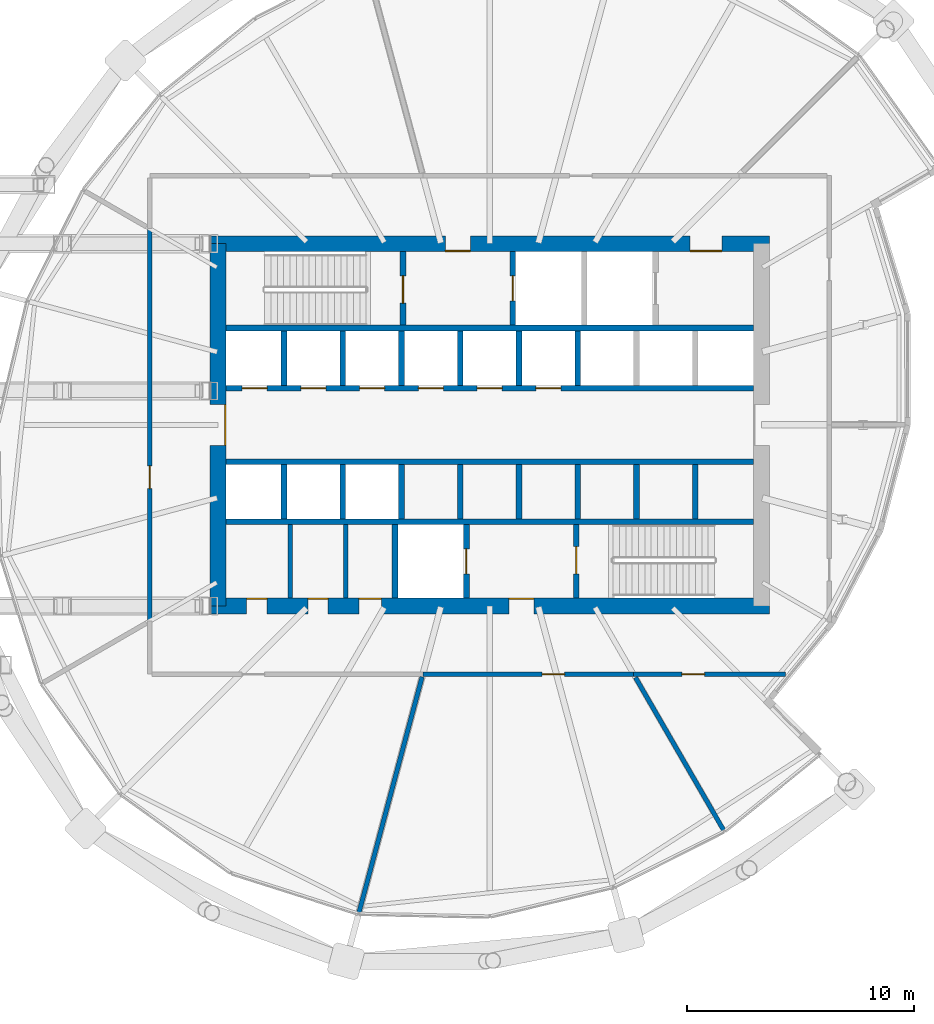
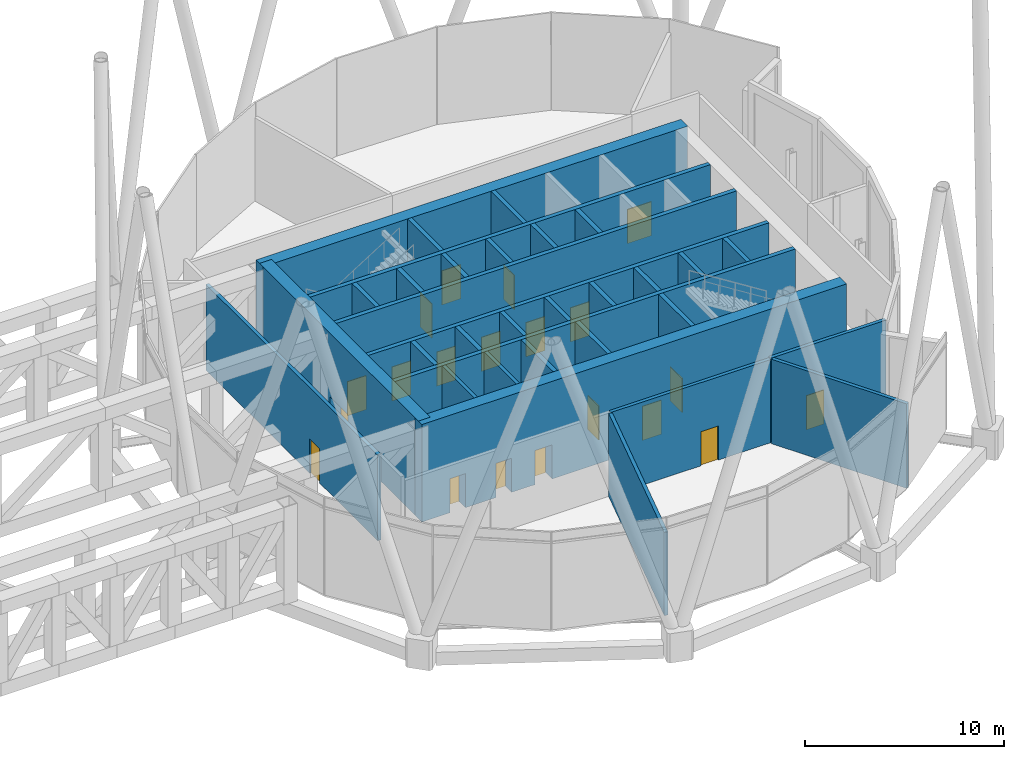
# One storey, part 34 of 39: 33 walls, 20 doors, 20 openings.
"""IFC4 building model written with IfcOpenShell, lengths in metres."""

from ifc_helpers import new_model, si_unit, direction, frame, frame_2d, origin, place, context, subcontext, project, spatial, rectangle, extrude, material, layer, layer_set, type_object, element, fill, save


model = new_model("IFC4")

# Units and contexts
model_context = context("Model", 3, precision=1e-05, world=origin(), true_north=direction((0.0, 1.0)))
body_context = subcontext(model_context, "Body", "Model", "MODEL_VIEW")
ifc_project = project(units=[si_unit("LENGTHUNIT", "METRE"), si_unit("AREAUNIT", "SQUARE_METRE"), si_unit("VOLUMEUNIT", "CUBIC_METRE"), si_unit("PLANEANGLEUNIT", "RADIAN"), si_unit("MASSUNIT", "GRAM", prefix="KILO")], contexts=[model_context])

# Site, building, storey
site_placement = place(None, origin())
site = spatial("IfcSite", under=ifc_project, at=site_placement, CompositionType="ELEMENT")
building_placement = place(site_placement, origin())
building = spatial("IfcBuilding", under=site, at=building_placement, Name="Rimbun Link Towers", CompositionType="ELEMENT")
storey_placement = place(building_placement, frame((0.0, 0.0, 127.199951171875)))
storey = spatial("IfcBuildingStorey", under=building, at=storey_placement, Name="L31", CompositionType="ELEMENT", Elevation=127.199951171875)

# Walls
ifc_material_1 = material(Name="Masonry blockwork", Category="masonry")
ifc_layer_1 = layer(ifc_material_1, 0.199951171875)
ifc_layer_set_1 = layer_set([ifc_layer_1], Name="Core partition 200")
wall_type_1 = type_object("IfcWallType", Name="Core partition 200", PredefinedType="PARTITIONING", material=ifc_layer_set_1)
for number, where, z_axis, x_axis, name in (
    (1, (22.949951171875, -4.39990234375, 0.0), (0.0, 0.0, 1.0), (0.0, -1.0, 0.0), "L31 T2 core wall C1"),
    (2, (25.39990234375, -4.39990234375, 0.0), (0.0, 0.0, 1.0), (0.0, -1.0, 0.0), "L31 T2 core wall C2"),
):
    element("IfcWall", number, at=place(storey_placement, frame(where, z_axis=z_axis, x_axis=x_axis)), inside=storey, type_object=wall_type_1, Name=name, PredefinedType="PARTITIONING", context=body_context, shape_type="SweptSolid", body=[
        extrude(rectangle(XDim=3.25, YDim=0.199951171875, at=frame_2d((1.625, 0.0))), origin(), (0.0, 0.0, 1.0), 6.0),
    ])

# Wall, openings, doors
ifc_material_2 = material(Name="Concrete C60/75", Category="concrete")
ifc_layer_2 = layer(ifc_material_2, 0.699951171875)
ifc_layer_set_2 = layer_set([ifc_layer_2], Name="Core shear wall 700")
wall_type_2 = type_object("IfcWallType", Name="Core shear wall 700", PredefinedType="SHEAR", material=ifc_layer_set_2)
wall_1_placement = place(storey_placement, frame((19.39990234375, 8.0, 0.0), z_axis=(0.0, 0.0, 1.0), x_axis=(1.0, 0.0, 0.0)))
wall_1 = element("IfcWall", 3, at=wall_1_placement, inside=storey, type_object=wall_type_2, Name="L31 T2 core wall N", PredefinedType="SHEAR", context=body_context, shape_type="SweptSolid", body=[
    extrude(rectangle(XDim=24.7001953125, YDim=0.699951171875, at=frame_2d((12.35009765625, 0.0))), origin(), (0.0, 0.0, 1.0), 6.0),
])
opening_1_placement = place(wall_1_placement, frame((10.39990234375, 0.0, 0.0)))
opening_1 = element("IfcOpeningElement", 4, at=opening_1_placement, cuts=wall_1, Name="Opening C2DCF01N", PredefinedType="OPENING", context=body_context, shape_type="SweptSolid", body=[
    extrude(rectangle(XDim=1.10009765625, YDim=2.10009765625, at=frame_2d((0.550048828125, 1.050048828125))), frame((0.0, 0.35986328125, 0.0), z_axis=(0.0, -1.0, 0.0), x_axis=(1.0, 0.0, 0.0)), (0.0, 0.0, 1.0), 0.719970703125),
])
opening_2_placement = place(wall_1_placement, frame((21.199951171875, 0.0, 0.0)))
opening_2 = element("IfcOpeningElement", 5, at=opening_2_placement, cuts=wall_1, Name="Opening C2DSL02N", PredefinedType="OPENING", context=body_context, shape_type="SweptSolid", body=[
    extrude(rectangle(XDim=1.39990234375, YDim=2.10009765625, at=frame_2d((0.699951171875, 1.050048828125))), frame((0.0, 0.35986328125, 0.0), z_axis=(0.0, -1.0, 0.0), x_axis=(1.0, 0.0, 0.0)), (0.0, 0.0, 1.0), 0.719970703125),
])
ifc_material_3 = material(Name="Steel fire door set", Category="steel")
door_type_1 = type_object("IfcDoorType", Name="Core fire door single", OperationType="SINGLE_SWING_LEFT", PredefinedType="DOOR", material=ifc_material_3)
door_1_placement = place(opening_1_placement, origin())
door_1 = element("IfcDoor", 6, at=door_1_placement, inside=storey, type_object=door_type_1, Name="L31 T2 firefighting lobby n door", OperationType="SINGLE_SWING_RIGHT", OverallHeight=2.10009765625, OverallWidth=1.10009765625, PredefinedType="DOOR", context=body_context, shape_type="SweptSolid", body=[
    extrude(rectangle(XDim=1.10009765625, YDim=2.10009765625, at=frame_2d((0.550048828125, 1.050048828125))), frame((0.0, -0.2998046875, 0.0), z_axis=(0.0, -1.0, 0.0), x_axis=(1.0, 0.0, 0.0)), (0.0, 0.0, 1.0), 0.050048828125),
])
fill(opening_1, door_1)
ifc_material_4 = material(Name="Steel fire door set", Category="steel")
door_type_2 = type_object("IfcDoorType", Name="Service lobby door double", OperationType="DOUBLE_DOOR_SINGLE_SWING", PredefinedType="DOOR", material=ifc_material_4)
door_2_placement = place(opening_2_placement, origin())
door_2 = element("IfcDoor", 7, at=door_2_placement, inside=storey, type_object=door_type_2, Name="L31 T2 service lobby door", OperationType="DOUBLE_DOOR_SINGLE_SWING", OverallHeight=2.10009765625, OverallWidth=1.39990234375, PredefinedType="DOOR", context=body_context, shape_type="SweptSolid", body=[
    extrude(rectangle(XDim=1.39990234375, YDim=2.10009765625, at=frame_2d((0.699951171875, 1.050048828125))), frame((0.0, -0.2998046875, 0.0), z_axis=(0.0, -1.0, 0.0), x_axis=(1.0, 0.0, 0.0)), (0.0, 0.0, 1.0), 0.050048828125),
])
fill(opening_2, door_2)

wall_2_placement = place(storey_placement, frame((19.39990234375, -8.0, 0.0), z_axis=(0.0, 0.0, 1.0), x_axis=(1.0, 0.0, 0.0)))
wall_2 = element("IfcWall", 8, at=wall_2_placement, inside=storey, type_object=wall_type_2, Name="L31 T2 core wall S", PredefinedType="SHEAR", context=body_context, shape_type="SweptSolid", body=[
    extrude(rectangle(XDim=24.7001953125, YDim=0.699951171875, at=frame_2d((12.35009765625, 0.0))), origin(), (0.0, 0.0, 1.0), 6.0),
])
opening_3_placement = place(wall_2_placement, frame((13.199951171875, 0.0, 0.0)))
opening_3 = element("IfcOpeningElement", 9, at=opening_3_placement, cuts=wall_2, Name="Opening C2DCF01S", PredefinedType="OPENING", context=body_context, shape_type="SweptSolid", body=[
    extrude(rectangle(XDim=1.10009765625, YDim=2.10009765625, at=frame_2d((0.550048828125, 1.050048828125))), frame((0.0, 0.35986328125, 0.0), z_axis=(0.0, -1.0, 0.0), x_axis=(1.0, 0.0, 0.0)), (0.0, 0.0, 1.0), 0.719970703125),
])
opening_4_placement = place(wall_2_placement, frame((1.625, 0.0, 0.0)))
opening_4 = element("IfcOpeningElement", 10, at=opening_4_placement, cuts=wall_2, Name="Opening C2DWC02S", PredefinedType="OPENING", context=body_context, shape_type="SweptSolid", body=[
    extrude(rectangle(XDim=0.89990234375, YDim=2.10009765625, at=frame_2d((0.449951171875, 1.050048828125))), frame((0.0, 0.35986328125, 0.0), z_axis=(0.0, -1.0, 0.0), x_axis=(1.0, 0.0, 0.0)), (0.0, 0.0, 1.0), 0.719970703125),
])
opening_5_placement = place(wall_2_placement, frame((4.324951171875, 0.0, 0.0)))
opening_5 = element("IfcOpeningElement", 11, at=opening_5_placement, cuts=wall_2, Name="Opening C2DWC03S", PredefinedType="OPENING", context=body_context, shape_type="SweptSolid", body=[
    extrude(rectangle(XDim=0.89990234375, YDim=2.10009765625, at=frame_2d((0.449951171875, 1.050048828125))), frame((0.0, 0.35986328125, 0.0), z_axis=(0.0, -1.0, 0.0), x_axis=(1.0, 0.0, 0.0)), (0.0, 0.0, 1.0), 0.719970703125),
])
opening_6_placement = place(wall_2_placement, frame((6.574951171875, 0.0, 0.0)))
opening_6 = element("IfcOpeningElement", 12, at=opening_6_placement, cuts=wall_2, Name="Opening C2DAW04S", PredefinedType="OPENING", context=body_context, shape_type="SweptSolid", body=[
    extrude(rectangle(XDim=1.0, YDim=2.10009765625, at=frame_2d((0.5, 1.050048828125))), frame((0.0, 0.35986328125, 0.0), z_axis=(0.0, -1.0, 0.0), x_axis=(1.0, 0.0, 0.0)), (0.0, 0.0, 1.0), 0.719970703125),
])
ifc_material_5 = material(Name="Timber", Category="wood")
door_type_3 = type_object("IfcDoorType", Name="Accessible WC door", OperationType="SINGLE_SWING_LEFT", PredefinedType="DOOR", material=ifc_material_5)
door_3_placement = place(opening_6_placement, origin())
door_3 = element("IfcDoor", 13, at=door_3_placement, inside=storey, type_object=door_type_3, Name="L31 T2 accessible wc door", OperationType="SINGLE_SWING_LEFT", OverallHeight=2.10009765625, OverallWidth=1.0, PredefinedType="DOOR", context=body_context, shape_type="SweptSolid", body=[
    extrude(rectangle(XDim=1.0, YDim=2.10009765625, at=frame_2d((0.5, 1.050048828125))), frame((0.0, 0.35009765625, 0.0), z_axis=(0.0, -1.0, 0.0), x_axis=(1.0, 0.0, 0.0)), (0.0, 0.0, 1.0), 0.050048828125),
])
fill(opening_6, door_3)
door_4_placement = place(opening_3_placement, origin())
door_4 = element("IfcDoor", 14, at=door_4_placement, inside=storey, type_object=door_type_1, Name="L31 T2 firefighting lobby s door", OperationType="SINGLE_SWING_RIGHT", OverallHeight=2.10009765625, OverallWidth=1.10009765625, PredefinedType="DOOR", context=body_context, shape_type="SweptSolid", body=[
    extrude(rectangle(XDim=1.10009765625, YDim=2.10009765625, at=frame_2d((0.550048828125, 1.050048828125))), frame((0.0, 0.35009765625, 0.0), z_axis=(0.0, -1.0, 0.0), x_axis=(1.0, 0.0, 0.0)), (0.0, 0.0, 1.0), 0.050048828125),
])
fill(opening_3, door_4)
ifc_material_6 = material(Name="Timber", Category="wood")
door_type_4 = type_object("IfcDoorType", Name="WC door", OperationType="SINGLE_SWING_LEFT", PredefinedType="DOOR", material=ifc_material_6)
door_5_placement = place(opening_4_placement, origin())
door_5 = element("IfcDoor", 15, at=door_5_placement, inside=storey, type_object=door_type_4, Name="L31 T2 male wc door", OperationType="SINGLE_SWING_RIGHT", OverallHeight=2.10009765625, OverallWidth=0.89990234375, PredefinedType="DOOR", context=body_context, shape_type="SweptSolid", body=[
    extrude(rectangle(XDim=0.89990234375, YDim=2.10009765625, at=frame_2d((0.449951171875, 1.050048828125))), frame((0.0, 0.35009765625, 0.0), z_axis=(0.0, -1.0, 0.0), x_axis=(1.0, 0.0, 0.0)), (0.0, 0.0, 1.0), 0.050048828125),
])
fill(opening_4, door_5)
door_6_placement = place(opening_5_placement, origin())
door_6 = element("IfcDoor", 16, at=door_6_placement, inside=storey, type_object=door_type_4, Name="L31 T2 female wc door", OperationType="SINGLE_SWING_RIGHT", OverallHeight=2.10009765625, OverallWidth=0.89990234375, PredefinedType="DOOR", context=body_context, shape_type="SweptSolid", body=[
    extrude(rectangle(XDim=0.89990234375, YDim=2.10009765625, at=frame_2d((0.449951171875, 1.050048828125))), frame((0.0, 0.35009765625, 0.0), z_axis=(0.0, -1.0, 0.0), x_axis=(1.0, 0.0, 0.0)), (0.0, 0.0, 1.0), 0.050048828125),
])
fill(opening_5, door_6)

# Wall, opening, door
wall_3_placement = place(storey_placement, frame((19.75, -8.0, 0.0), z_axis=(0.0, 0.0, 1.0), x_axis=(0.0, 1.0, 0.0)))
wall_3 = element("IfcWall", 17, at=wall_3_placement, inside=storey, type_object=wall_type_2, Name="L31 T2 core wall W", PredefinedType="SHEAR", context=body_context, shape_type="SweptSolid", body=[
    extrude(rectangle(XDim=16.0, YDim=0.699951171875, at=frame_2d((8.0, 0.0))), origin(), (0.0, 0.0, 1.0), 6.0),
])
opening_7_placement = place(wall_3_placement, frame((7.10009765625, 0.0, 0.0)))
opening_7 = element("IfcOpeningElement", 18, at=opening_7_placement, cuts=wall_3, Name="Opening C2DCL01W", PredefinedType="OPENING", context=body_context, shape_type="SweptSolid", body=[
    extrude(rectangle(XDim=1.800048828125, YDim=2.10009765625, at=frame_2d((0.89990234375, 1.050048828125))), frame((0.0, 0.35986328125, 0.0), z_axis=(0.0, -1.0, 0.0), x_axis=(1.0, 0.0, 0.0)), (0.0, 0.0, 1.0), 0.719970703125),
])
ifc_material_7 = material(Name="Steel fire door set", Category="steel")
door_type_5 = type_object("IfcDoorType", Name="Core lobby door double", OperationType="DOUBLE_DOOR_SINGLE_SWING", PredefinedType="DOOR", material=ifc_material_7)
door_7_placement = place(opening_7_placement, origin())
door_7 = element("IfcDoor", 19, at=door_7_placement, inside=storey, type_object=door_type_5, Name="L31 T2 lift lobby door", OperationType="DOUBLE_DOOR_SINGLE_SWING", OverallHeight=2.10009765625, OverallWidth=1.800048828125, PredefinedType="DOOR", context=body_context, shape_type="SweptSolid", body=[
    extrude(rectangle(XDim=1.800048828125, YDim=2.10009765625, at=frame_2d((0.89990234375, 1.050048828125))), frame((0.0, -0.2998046875, 0.0), z_axis=(0.0, -1.0, 0.0), x_axis=(1.0, 0.0, 0.0)), (0.0, 0.0, 1.0), 0.050048828125),
])
fill(opening_7, door_7)

ifc_material_8 = material(Name="Concrete blockwork", Category="masonry")
ifc_layer_3 = layer(ifc_material_8, 0.199951171875)
ifc_layer_set_3 = layer_set([ifc_layer_3], Name="Fire partition 200 blockwork")
wall_type_3 = type_object("IfcWallType", Name="Fire partition 200 blockwork", PredefinedType="PARTITIONING", material=ifc_layer_set_3)
wall_4_placement = place(storey_placement, frame((28.802490234375, -11.0, 0.0), z_axis=(0.0, 0.0, 1.0), x_axis=(1.0, 0.0, 0.0)))
wall_4 = element("IfcWall", 20, at=wall_4_placement, inside=storey, type_object=wall_type_3, Name="TW/PW/L31/020", PredefinedType="PARTITIONING", context=body_context, shape_type="SweptSolid", body=[
    extrude(rectangle(XDim=9.29833984375, YDim=0.199951171875, at=frame_2d((4.649169921875, 0.0))), origin(), (0.0, 0.0, 1.0), 5.115966796875),
])
opening_8_placement = place(wall_4_placement, frame((5.259033203125, 0.0, 0.0)))
opening_8 = element("IfcOpeningElement", 21, at=opening_8_placement, cuts=wall_4, Name="Opening TW D31.09", PredefinedType="OPENING", context=body_context, shape_type="SweptSolid", body=[
    extrude(rectangle(XDim=1.0, YDim=2.10009765625, at=frame_2d((0.5, 1.050048828125))), frame((0.0, 0.10986328125, 0.0), z_axis=(0.0, -1.0, 0.0), x_axis=(1.0, 0.0, 0.0)), (0.0, 0.0, 1.0), 0.219970703125),
])
ifc_material_9 = material(Name="Steel fire door set", Category="steel")
door_type_6 = type_object("IfcDoorType", Name="Fire door single leaf 1000 x 2100", OperationType="NOTDEFINED", PredefinedType="DOOR", material=ifc_material_9)
door_8_placement = place(opening_8_placement, origin())
door_8 = element("IfcDoor", 22, at=door_8_placement, inside=storey, type_object=door_type_6, Name="TW/DR/L31/009", OperationType="SINGLE_SWING_RIGHT", OverallHeight=2.10009765625, OverallWidth=1.0, PredefinedType="DOOR", context=body_context, shape_type="SweptSolid", body=[
    extrude(rectangle(XDim=1.0, YDim=2.10009765625, at=frame_2d((0.5, 1.050048828125))), frame((0.0, 0.02490234375, 0.0), z_axis=(0.0, -1.0, 0.0), x_axis=(1.0, 0.0, 0.0)), (0.0, 0.0, 1.0), 0.050048828125),
])
fill(opening_8, door_8)

wall_5_placement = place(storey_placement, frame((38.100830078125, -11.0, 0.0), z_axis=(0.0, 0.0, 1.0), x_axis=(1.0, 0.0, 0.0)))
wall_5 = element("IfcWall", 23, at=wall_5_placement, inside=storey, type_object=wall_type_3, Name="TW/PW/L31/022", PredefinedType="PARTITIONING", context=body_context, shape_type="SweptSolid", body=[
    extrude(rectangle(XDim=6.7177734375, YDim=0.199951171875, at=frame_2d((3.35888671875, 0.0))), origin(), (0.0, 0.0, 1.0), 5.197021484375),
])
opening_9_placement = place(wall_5_placement, frame((2.135986328125, 0.0, 0.0)))
opening_9 = element("IfcOpeningElement", 24, at=opening_9_placement, cuts=wall_5, Name="Opening TW D31.11", PredefinedType="OPENING", context=body_context, shape_type="SweptSolid", body=[
    extrude(rectangle(XDim=1.0, YDim=2.10009765625, at=frame_2d((0.5, 1.050048828125))), frame((0.0, 0.10986328125, 0.0), z_axis=(0.0, -1.0, 0.0), x_axis=(1.0, 0.0, 0.0)), (0.0, 0.0, 1.0), 0.219970703125),
])
door_9_placement = place(opening_9_placement, origin())
door_9 = element("IfcDoor", 25, at=door_9_placement, inside=storey, type_object=door_type_6, Name="TW/DR/L31/011", OperationType="SINGLE_SWING_RIGHT", OverallHeight=2.10009765625, OverallWidth=1.0, PredefinedType="DOOR", context=body_context, shape_type="SweptSolid", body=[
    extrude(rectangle(XDim=1.0, YDim=2.10009765625, at=frame_2d((0.5, 1.050048828125))), frame((0.0, 0.02490234375, 0.0), z_axis=(0.0, -1.0, 0.0), x_axis=(1.0, 0.0, 0.0)), (0.0, 0.0, 1.0), 0.050048828125),
])
fill(opening_9, door_9)

wall_6_placement = place(storey_placement, frame((16.75, 8.660400390625, 0.0), z_axis=(0.0, 0.0, 1.0), x_axis=(0.0, -1.0, 0.0)))
wall_6 = element("IfcWall", 26, at=wall_6_placement, inside=storey, type_object=wall_type_3, Name="TW/PW/L31/028", PredefinedType="PARTITIONING", context=body_context, shape_type="SweptSolid", body=[
    extrude(rectangle(XDim=17.32080078125, YDim=0.199951171875, at=frame_2d((8.660400390625, 0.0))), origin(), (0.0, 0.0, 1.0), 5.26708984375),
])
opening_10_placement = place(wall_6_placement, frame((10.472900390625, 0.0, 0.0)))
opening_10 = element("IfcOpeningElement", 27, at=opening_10_placement, cuts=wall_6, Name="Opening TW D31.15", PredefinedType="OPENING", context=body_context, shape_type="SweptSolid", body=[
    extrude(rectangle(XDim=1.0, YDim=2.10009765625, at=frame_2d((0.5, 1.050048828125))), frame((0.0, 0.10986328125, 0.0), z_axis=(0.0, -1.0, 0.0), x_axis=(1.0, 0.0, 0.0)), (0.0, 0.0, 1.0), 0.219970703125),
])
door_10_placement = place(opening_10_placement, origin())
door_10 = element("IfcDoor", 28, at=door_10_placement, inside=storey, type_object=door_type_6, Name="TW/DR/L31/015", OperationType="SINGLE_SWING_RIGHT", OverallHeight=2.10009765625, OverallWidth=1.0, PredefinedType="DOOR", context=body_context, shape_type="SweptSolid", body=[
    extrude(rectangle(XDim=1.0, YDim=2.10009765625, at=frame_2d((0.5, 1.050048828125))), frame((0.0, 0.02490234375, 0.0), z_axis=(0.0, -1.0, 0.0), x_axis=(1.0, 0.0, 0.0)), (0.0, 0.0, 1.0), 0.050048828125),
])
fill(opening_10, door_10)

# Walls
wall_7_placement = place(storey_placement, frame((25.9658203125, -21.58642578125, 0.0), z_axis=(0.0, 0.0, 1.0), x_axis=(0.258828487233, 0.965923296228, 0.0)))
element("IfcWall", 29, at=wall_7_placement, inside=storey, type_object=wall_type_3, Name="TW/PW/L31/029", PredefinedType="PARTITIONING", context=body_context, shape_type="SweptSolid", body=[
    extrude(rectangle(XDim=10.82958984375, YDim=0.199951171875, at=frame_2d((5.414794921875, 0.0))), origin(), (0.0, 0.0, 1.0), 5.115966796875),
])
wall_8_placement = place(storey_placement, frame((42.112548828125, -17.948486328125, 0.0), z_axis=(0.0, 0.0, 1.0), x_axis=(-0.499988968618, 0.866031772662, 0.0)))
element("IfcWall", 30, at=wall_8_placement, inside=storey, type_object=wall_type_3, Name="TW/PW/L31/031", PredefinedType="PARTITIONING", context=body_context, shape_type="SweptSolid", body=[
    extrude(rectangle(XDim=7.850341796875, YDim=0.199951171875, at=frame_2d((3.92529296875, 0.0))), origin(), (0.0, 0.0, 1.0), 5.197021484375),
])
ifc_material_10 = material(Name="Concrete C60/75", Category="concrete")
ifc_layer_4 = layer(ifc_material_10, 0.25)
ifc_layer_set_4 = layer_set([ifc_layer_4], Name="Shaft wall 250")
wall_type_4 = type_object("IfcWallType", Name="Shaft wall 250", PredefinedType="SHEAR", material=ifc_layer_set_4)
for number, where, z_axis, x_axis, name in (
    (31, (20.10009765625, 4.27490234375, 0.0), (0.0, 0.0, 1.0), (1.0, 0.0, 0.0), "L31 T2 core wall BN"),
    (32, (20.10009765625, -4.27490234375, 0.0), (0.0, 0.0, 1.0), (1.0, 0.0, 0.0), "L31 T2 core wall BS"),
):
    element("IfcWall", number, at=place(storey_placement, frame(where, z_axis=z_axis, x_axis=x_axis)), inside=storey, type_object=wall_type_4, Name=name, PredefinedType="SHEAR", context=body_context, shape_type="SweptSolid", body=[
        extrude(rectangle(XDim=23.2998046875, YDim=0.25, at=frame_2d((11.64990234375, 0.0))), origin(), (0.0, 0.0, 1.0), 6.0),
    ])

# Wall, openings, doors
wall_9_placement = place(storey_placement, frame((20.10009765625, 1.625, 0.0), z_axis=(0.0, 0.0, 1.0), x_axis=(1.0, 0.0, 0.0)))
wall_9 = element("IfcWall", 33, at=wall_9_placement, inside=storey, type_object=wall_type_4, Name="L31 T2 core wall FN", PredefinedType="SHEAR", context=body_context, shape_type="SweptSolid", body=[
    extrude(rectangle(XDim=23.2998046875, YDim=0.25, at=frame_2d((11.64990234375, 0.0))), origin(), (0.0, 0.0, 1.0), 6.0),
])
opening_11_placement = place(wall_9_placement, frame((0.72216796875, 0.0, 0.0)))
opening_11 = element("IfcOpeningElement", 34, at=opening_11_placement, cuts=wall_9, Name="Opening LD-T2-LR1", PredefinedType="OPENING", context=body_context, shape_type="SweptSolid", body=[
    extrude(rectangle(XDim=1.10009765625, YDim=2.10009765625, at=frame_2d((0.550048828125, 1.050048828125))), frame((0.0, 0.135009765625, 0.0), z_axis=(0.0, -1.0, 0.0), x_axis=(1.0, 0.0, 0.0)), (0.0, 0.0, 1.0), 0.27001953125),
])
opening_12_placement = place(wall_9_placement, frame((3.316650390625, 0.0, 0.0)))
opening_12 = element("IfcOpeningElement", 35, at=opening_12_placement, cuts=wall_9, Name="Opening LD-T2-LR2", PredefinedType="OPENING", context=body_context, shape_type="SweptSolid", body=[
    extrude(rectangle(XDim=1.10009765625, YDim=2.10009765625, at=frame_2d((0.550048828125, 1.050048828125))), frame((0.0, 0.135009765625, 0.0), z_axis=(0.0, -1.0, 0.0), x_axis=(1.0, 0.0, 0.0)), (0.0, 0.0, 1.0), 0.27001953125),
])
opening_13_placement = place(wall_9_placement, frame((5.9111328125, 0.0, 0.0)))
opening_13 = element("IfcOpeningElement", 36, at=opening_13_placement, cuts=wall_9, Name="Opening LD-T2-LR3", PredefinedType="OPENING", context=body_context, shape_type="SweptSolid", body=[
    extrude(rectangle(XDim=1.10009765625, YDim=2.10009765625, at=frame_2d((0.550048828125, 1.050048828125))), frame((0.0, 0.135009765625, 0.0), z_axis=(0.0, -1.0, 0.0), x_axis=(1.0, 0.0, 0.0)), (0.0, 0.0, 1.0), 0.27001953125),
])
opening_14_placement = place(wall_9_placement, frame((8.505615234375, 0.0, 0.0)))
opening_14 = element("IfcOpeningElement", 37, at=opening_14_placement, cuts=wall_9, Name="Opening LD-T2-LR4", PredefinedType="OPENING", context=body_context, shape_type="SweptSolid", body=[
    extrude(rectangle(XDim=1.10009765625, YDim=2.10009765625, at=frame_2d((0.550048828125, 1.050048828125))), frame((0.0, 0.135009765625, 0.0), z_axis=(0.0, -1.0, 0.0), x_axis=(1.0, 0.0, 0.0)), (0.0, 0.0, 1.0), 0.27001953125),
])
opening_15_placement = place(wall_9_placement, frame((11.10009765625, 0.0, 0.0)))
opening_15 = element("IfcOpeningElement", 38, at=opening_15_placement, cuts=wall_9, Name="Opening LD-T2-LR5", PredefinedType="OPENING", context=body_context, shape_type="SweptSolid", body=[
    extrude(rectangle(XDim=1.10009765625, YDim=2.10009765625, at=frame_2d((0.550048828125, 1.050048828125))), frame((0.0, 0.135009765625, 0.0), z_axis=(0.0, -1.0, 0.0), x_axis=(1.0, 0.0, 0.0)), (0.0, 0.0, 1.0), 0.27001953125),
])
opening_16_placement = place(wall_9_placement, frame((13.6943359375, 0.0, 0.0)))
opening_16 = element("IfcOpeningElement", 39, at=opening_16_placement, cuts=wall_9, Name="Opening LD-T2-LR6", PredefinedType="OPENING", context=body_context, shape_type="SweptSolid", body=[
    extrude(rectangle(XDim=1.10009765625, YDim=2.10009765625, at=frame_2d((0.550048828125, 1.050048828125))), frame((0.0, 0.135009765625, 0.0), z_axis=(0.0, -1.0, 0.0), x_axis=(1.0, 0.0, 0.0)), (0.0, 0.0, 1.0), 0.27001953125),
])
ifc_material_11 = material(Name="Stainless steel grade 316", Category="steel")
door_type_7 = type_object("IfcDoorType", Name="Lift landing door", OperationType="DOUBLE_DOOR_SLIDING", PredefinedType="DOOR", material=ifc_material_11)
door_11_placement = place(opening_11_placement, origin())
door_11 = element("IfcDoor", 40, at=door_11_placement, inside=storey, type_object=door_type_7, Name="L31 T2 lift LR1 landing door", OperationType="DOUBLE_DOOR_SLIDING", OverallHeight=2.10009765625, OverallWidth=1.10009765625, PredefinedType="DOOR", context=body_context, shape_type="SweptSolid", body=[
    extrude(rectangle(XDim=1.10009765625, YDim=2.10009765625, at=frame_2d((0.550048828125, 1.050048828125))), frame((0.0, 0.02490234375, 0.0), z_axis=(0.0, -1.0, 0.0), x_axis=(1.0, 0.0, 0.0)), (0.0, 0.0, 1.0), 0.050048828125),
])
fill(opening_11, door_11)
door_12_placement = place(opening_12_placement, origin())
door_12 = element("IfcDoor", 41, at=door_12_placement, inside=storey, type_object=door_type_7, Name="L31 T2 lift LR2 landing door", OperationType="DOUBLE_DOOR_SLIDING", OverallHeight=2.10009765625, OverallWidth=1.10009765625, PredefinedType="DOOR", context=body_context, shape_type="SweptSolid", body=[
    extrude(rectangle(XDim=1.10009765625, YDim=2.10009765625, at=frame_2d((0.550048828125, 1.050048828125))), frame((0.0, 0.02490234375, 0.0), z_axis=(0.0, -1.0, 0.0), x_axis=(1.0, 0.0, 0.0)), (0.0, 0.0, 1.0), 0.050048828125),
])
fill(opening_12, door_12)
door_13_placement = place(opening_13_placement, origin())
door_13 = element("IfcDoor", 42, at=door_13_placement, inside=storey, type_object=door_type_7, Name="L31 T2 lift LR3 landing door", OperationType="DOUBLE_DOOR_SLIDING", OverallHeight=2.10009765625, OverallWidth=1.10009765625, PredefinedType="DOOR", context=body_context, shape_type="SweptSolid", body=[
    extrude(rectangle(XDim=1.10009765625, YDim=2.10009765625, at=frame_2d((0.550048828125, 1.050048828125))), frame((0.0, 0.02490234375, 0.0), z_axis=(0.0, -1.0, 0.0), x_axis=(1.0, 0.0, 0.0)), (0.0, 0.0, 1.0), 0.050048828125),
])
fill(opening_13, door_13)
door_14_placement = place(opening_14_placement, origin())
door_14 = element("IfcDoor", 43, at=door_14_placement, inside=storey, type_object=door_type_7, Name="L31 T2 lift LR4 landing door", OperationType="DOUBLE_DOOR_SLIDING", OverallHeight=2.10009765625, OverallWidth=1.10009765625, PredefinedType="DOOR", context=body_context, shape_type="SweptSolid", body=[
    extrude(rectangle(XDim=1.10009765625, YDim=2.10009765625, at=frame_2d((0.550048828125, 1.050048828125))), frame((0.0, 0.02490234375, 0.0), z_axis=(0.0, -1.0, 0.0), x_axis=(1.0, 0.0, 0.0)), (0.0, 0.0, 1.0), 0.050048828125),
])
fill(opening_14, door_14)
door_15_placement = place(opening_15_placement, origin())
door_15 = element("IfcDoor", 44, at=door_15_placement, inside=storey, type_object=door_type_7, Name="L31 T2 lift LR5 landing door", OperationType="DOUBLE_DOOR_SLIDING", OverallHeight=2.10009765625, OverallWidth=1.10009765625, PredefinedType="DOOR", context=body_context, shape_type="SweptSolid", body=[
    extrude(rectangle(XDim=1.10009765625, YDim=2.10009765625, at=frame_2d((0.550048828125, 1.050048828125))), frame((0.0, 0.02490234375, 0.0), z_axis=(0.0, -1.0, 0.0), x_axis=(1.0, 0.0, 0.0)), (0.0, 0.0, 1.0), 0.050048828125),
])
fill(opening_15, door_15)
door_16_placement = place(opening_16_placement, origin())
door_16 = element("IfcDoor", 45, at=door_16_placement, inside=storey, type_object=door_type_7, Name="L31 T2 lift LR6 landing door", OperationType="DOUBLE_DOOR_SLIDING", OverallHeight=2.10009765625, OverallWidth=1.10009765625, PredefinedType="DOOR", context=body_context, shape_type="SweptSolid", body=[
    extrude(rectangle(XDim=1.10009765625, YDim=2.10009765625, at=frame_2d((0.550048828125, 1.050048828125))), frame((0.0, 0.02490234375, 0.0), z_axis=(0.0, -1.0, 0.0), x_axis=(1.0, 0.0, 0.0)), (0.0, 0.0, 1.0), 0.050048828125),
])
fill(opening_16, door_16)

# Walls
wall_10_placement = place(storey_placement, frame((20.10009765625, -1.625, 0.0), z_axis=(0.0, 0.0, 1.0), x_axis=(1.0, 0.0, 0.0)))
element("IfcWall", 46, at=wall_10_placement, inside=storey, type_object=wall_type_4, Name="L31 T2 core wall FS", PredefinedType="SHEAR", context=body_context, shape_type="SweptSolid", body=[
    extrude(rectangle(XDim=23.2998046875, YDim=0.25, at=frame_2d((11.64990234375, 0.0))), origin(), (0.0, 0.0, 1.0), 6.0),
])
for number, where, z_axis, x_axis, name in (
    (47, (22.66943359375, 1.75, 0.0), (0.0, 0.0, 1.0), (0.0, 1.0, 0.0), "L31 T2 core wall DN0"),
    (48, (25.263916015625, 1.75, 0.0), (0.0, 0.0, 1.0), (0.0, 1.0, 0.0), "L31 T2 core wall DN1"),
    (49, (27.8583984375, 1.75, 0.0), (0.0, 0.0, 1.0), (0.0, 1.0, 0.0), "L31 T2 core wall DN2"),
    (50, (30.452880859375, 1.75, 0.0), (0.0, 0.0, 1.0), (0.0, 1.0, 0.0), "L31 T2 core wall DN3"),
    (51, (33.047119140625, 1.75, 0.0), (0.0, 0.0, 1.0), (0.0, 1.0, 0.0), "L31 T2 core wall DN4"),
    (52, (35.6416015625, 1.75, 0.0), (0.0, 0.0, 1.0), (0.0, 1.0, 0.0), "L31 T2 core wall DN5"),
    (53, (22.66943359375, -4.14990234375, 0.0), (0.0, 0.0, 1.0), (0.0, 1.0, 0.0), "L31 T2 core wall DS0"),
    (54, (25.263916015625, -4.14990234375, 0.0), (0.0, 0.0, 1.0), (0.0, 1.0, 0.0), "L31 T2 core wall DS1"),
    (55, (27.8583984375, -4.14990234375, 0.0), (0.0, 0.0, 1.0), (0.0, 1.0, 0.0), "L31 T2 core wall DS2"),
    (56, (30.452880859375, -4.14990234375, 0.0), (0.0, 0.0, 1.0), (0.0, 1.0, 0.0), "L31 T2 core wall DS3"),
    (57, (33.047119140625, -4.14990234375, 0.0), (0.0, 0.0, 1.0), (0.0, 1.0, 0.0), "L31 T2 core wall DS4"),
    (58, (35.6416015625, -4.14990234375, 0.0), (0.0, 0.0, 1.0), (0.0, 1.0, 0.0), "L31 T2 core wall DS5"),
    (59, (38.236083984375, -4.14990234375, 0.0), (0.0, 0.0, 1.0), (0.0, 1.0, 0.0), "L31 T2 core wall DS6"),
    (60, (40.83056640625, -4.14990234375, 0.0), (0.0, 0.0, 1.0), (0.0, 1.0, 0.0), "L31 T2 core wall DS7"),
):
    element("IfcWall", number, at=place(storey_placement, frame(where, z_axis=z_axis, x_axis=x_axis)), inside=storey, type_object=wall_type_4, Name=name, PredefinedType="SHEAR", context=body_context, shape_type="SweptSolid", body=[
        extrude(rectangle(XDim=2.39990234375, YDim=0.25, at=frame_2d((1.199951171875, 0.0))), origin(), (0.0, 0.0, 1.0), 6.0),
    ])

# Wall, opening, door
wall_11_placement = place(storey_placement, frame((27.925048828125, 4.39990234375, 0.0), z_axis=(0.0, 0.0, 1.0), x_axis=(0.0, 1.0, 0.0)))
wall_11 = element("IfcWall", 61, at=wall_11_placement, inside=storey, type_object=wall_type_4, Name="L31 T2 core wall A1", PredefinedType="SHEAR", context=body_context, shape_type="SweptSolid", body=[
    extrude(rectangle(XDim=3.25, YDim=0.25, at=frame_2d((1.625, 0.0))), origin(), (0.0, 0.0, 1.0), 6.0),
])
opening_17_placement = place(wall_11_placement, frame((0.97509765625, 0.0, 0.0)))
opening_17 = element("IfcOpeningElement", 62, at=opening_17_placement, cuts=wall_11, Name="Opening C2DST01A1", PredefinedType="OPENING", context=body_context, shape_type="SweptSolid", body=[
    extrude(rectangle(XDim=1.199951171875, YDim=2.10009765625, at=frame_2d((0.60009765625, 1.050048828125))), frame((0.0, 0.135009765625, 0.0), z_axis=(0.0, -1.0, 0.0), x_axis=(1.0, 0.0, 0.0)), (0.0, 0.0, 1.0), 0.27001953125),
])
ifc_material_12 = material(Name="Steel fire door set", Category="steel")
door_type_8 = type_object("IfcDoorType", Name="Stair door", OperationType="SINGLE_SWING_LEFT", PredefinedType="DOOR", material=ifc_material_12)
door_17_placement = place(opening_17_placement, origin())
door_17 = element("IfcDoor", 63, at=door_17_placement, inside=storey, type_object=door_type_8, Name="L31 T2 stair a door", OperationType="SINGLE_SWING_RIGHT", OverallHeight=2.10009765625, OverallWidth=1.199951171875, PredefinedType="DOOR", context=body_context, shape_type="SweptSolid", body=[
    extrude(rectangle(XDim=1.199951171875, YDim=2.10009765625, at=frame_2d((0.60009765625, 1.050048828125))), frame((0.0, 0.02490234375, 0.0), z_axis=(0.0, -1.0, 0.0), x_axis=(1.0, 0.0, 0.0)), (0.0, 0.0, 1.0), 0.050048828125),
])
fill(opening_17, door_17)

wall_12_placement = place(storey_placement, frame((32.77490234375, 4.39990234375, 0.0), z_axis=(0.0, 0.0, 1.0), x_axis=(0.0, 1.0, 0.0)))
wall_12 = element("IfcWall", 64, at=wall_12_placement, inside=storey, type_object=wall_type_4, Name="L31 T2 core wall A2", PredefinedType="SHEAR", context=body_context, shape_type="SweptSolid", body=[
    extrude(rectangle(XDim=3.25, YDim=0.25, at=frame_2d((1.625, 0.0))), origin(), (0.0, 0.0, 1.0), 6.0),
])
opening_18_placement = place(wall_12_placement, frame((1.074951171875, 0.0, 0.0)))
opening_18 = element("IfcOpeningElement", 65, at=opening_18_placement, cuts=wall_12, Name="Opening LD-T2-FF1", PredefinedType="OPENING", context=body_context, shape_type="SweptSolid", body=[
    extrude(rectangle(XDim=1.10009765625, YDim=2.10009765625, at=frame_2d((0.550048828125, 1.050048828125))), frame((0.0, 0.135009765625, 0.0), z_axis=(0.0, -1.0, 0.0), x_axis=(1.0, 0.0, 0.0)), (0.0, 0.0, 1.0), 0.27001953125),
])
door_18_placement = place(opening_18_placement, origin())
door_18 = element("IfcDoor", 66, at=door_18_placement, inside=storey, type_object=door_type_7, Name="L31 T2 lift FF1 landing door", OperationType="DOUBLE_DOOR_SLIDING", OverallHeight=2.10009765625, OverallWidth=1.10009765625, PredefinedType="DOOR", context=body_context, shape_type="SweptSolid", body=[
    extrude(rectangle(XDim=1.10009765625, YDim=2.10009765625, at=frame_2d((0.550048828125, 1.050048828125))), frame((0.0, 0.02490234375, 0.0), z_axis=(0.0, -1.0, 0.0), x_axis=(1.0, 0.0, 0.0)), (0.0, 0.0, 1.0), 0.050048828125),
])
fill(opening_18, door_18)

wall_13_placement = place(storey_placement, frame((35.574951171875, -4.39990234375, 0.0), z_axis=(0.0, 0.0, 1.0), x_axis=(0.0, -1.0, 0.0)))
wall_13 = element("IfcWall", 67, at=wall_13_placement, inside=storey, type_object=wall_type_4, Name="L31 T2 core wall B1", PredefinedType="SHEAR", context=body_context, shape_type="SweptSolid", body=[
    extrude(rectangle(XDim=3.25, YDim=0.25, at=frame_2d((1.625, 0.0))), origin(), (0.0, 0.0, 1.0), 6.0),
])
opening_19_placement = place(wall_13_placement, frame((0.97509765625, 0.0, 0.0)))
opening_19 = element("IfcOpeningElement", 68, at=opening_19_placement, cuts=wall_13, Name="Opening C2DST01B1", PredefinedType="OPENING", context=body_context, shape_type="SweptSolid", body=[
    extrude(rectangle(XDim=1.199951171875, YDim=2.10009765625, at=frame_2d((0.60009765625, 1.050048828125))), frame((0.0, 0.135009765625, 0.0), z_axis=(0.0, -1.0, 0.0), x_axis=(1.0, 0.0, 0.0)), (0.0, 0.0, 1.0), 0.27001953125),
])
door_19_placement = place(opening_19_placement, origin())
door_19 = element("IfcDoor", 69, at=door_19_placement, inside=storey, type_object=door_type_8, Name="L31 T2 stair b door", OperationType="SINGLE_SWING_RIGHT", OverallHeight=2.10009765625, OverallWidth=1.199951171875, PredefinedType="DOOR", context=body_context, shape_type="SweptSolid", body=[
    extrude(rectangle(XDim=1.199951171875, YDim=2.10009765625, at=frame_2d((0.60009765625, 1.050048828125))), frame((0.0, 0.02490234375, 0.0), z_axis=(0.0, -1.0, 0.0), x_axis=(1.0, 0.0, 0.0)), (0.0, 0.0, 1.0), 0.050048828125),
])
fill(opening_19, door_19)

wall_14_placement = place(storey_placement, frame((30.72509765625, -4.39990234375, 0.0), z_axis=(0.0, 0.0, 1.0), x_axis=(0.0, -1.0, 0.0)))
wall_14 = element("IfcWall", 70, at=wall_14_placement, inside=storey, type_object=wall_type_4, Name="L31 T2 core wall B2", PredefinedType="SHEAR", context=body_context, shape_type="SweptSolid", body=[
    extrude(rectangle(XDim=3.25, YDim=0.25, at=frame_2d((1.625, 0.0))), origin(), (0.0, 0.0, 1.0), 6.0),
])
opening_20_placement = place(wall_14_placement, frame((1.074951171875, 0.0, 0.0)))
opening_20 = element("IfcOpeningElement", 71, at=opening_20_placement, cuts=wall_14, Name="Opening LD-T2-FF2", PredefinedType="OPENING", context=body_context, shape_type="SweptSolid", body=[
    extrude(rectangle(XDim=1.10009765625, YDim=2.10009765625, at=frame_2d((0.550048828125, 1.050048828125))), frame((0.0, 0.135009765625, 0.0), z_axis=(0.0, -1.0, 0.0), x_axis=(1.0, 0.0, 0.0)), (0.0, 0.0, 1.0), 0.27001953125),
])
door_20_placement = place(opening_20_placement, origin())
door_20 = element("IfcDoor", 72, at=door_20_placement, inside=storey, type_object=door_type_7, Name="L31 T2 lift FF2 landing door", OperationType="DOUBLE_DOOR_SLIDING", OverallHeight=2.10009765625, OverallWidth=1.10009765625, PredefinedType="DOOR", context=body_context, shape_type="SweptSolid", body=[
    extrude(rectangle(XDim=1.10009765625, YDim=2.10009765625, at=frame_2d((0.550048828125, 1.050048828125))), frame((0.0, 0.02490234375, 0.0), z_axis=(0.0, -1.0, 0.0), x_axis=(1.0, 0.0, 0.0)), (0.0, 0.0, 1.0), 0.050048828125),
])
fill(opening_20, door_20)

# Wall
wall_15_placement = place(storey_placement, frame((27.574951171875, -4.39990234375, 0.0), z_axis=(0.0, 0.0, 1.0), x_axis=(0.0, -1.0, 0.0)))
element("IfcWall", 73, at=wall_15_placement, inside=storey, type_object=wall_type_4, Name="L31 T2 core wall B3", PredefinedType="SHEAR", context=body_context, shape_type="SweptSolid", body=[
    extrude(rectangle(XDim=3.25, YDim=0.25, at=frame_2d((1.625, 0.0))), origin(), (0.0, 0.0, 1.0), 6.0),
])

save(model, "model.ifc")
